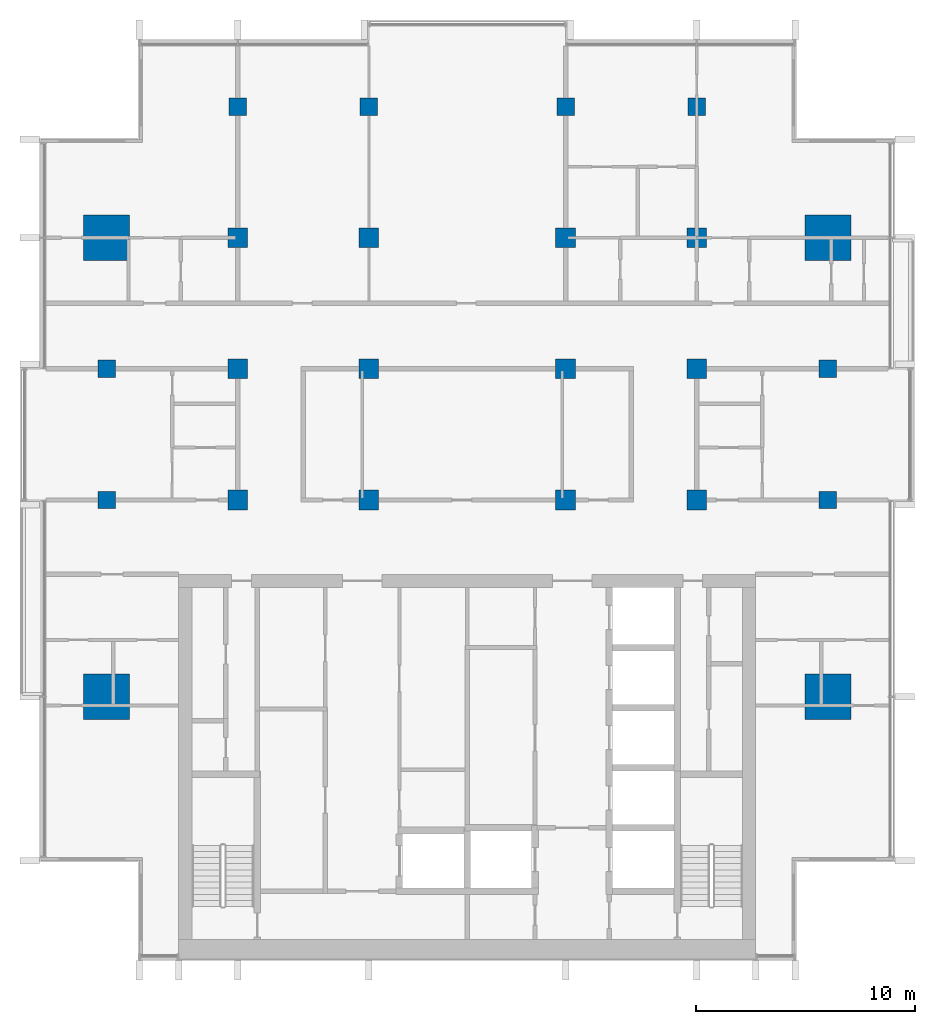
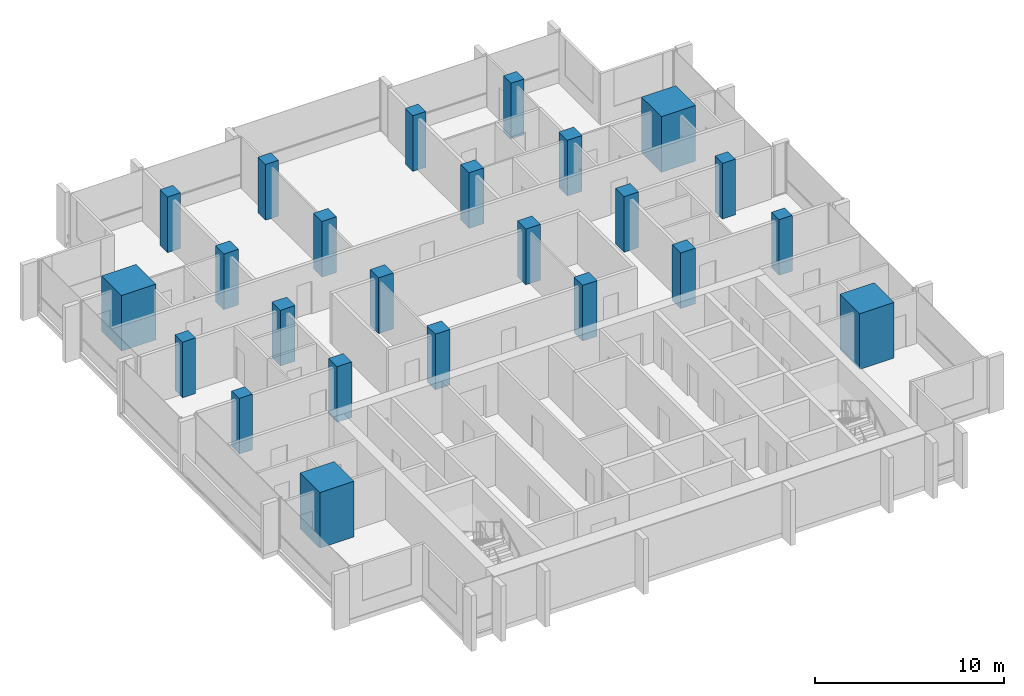
# One storey, part 1 of 16: 24 columns.
"""IFC4 building model written with IfcOpenShell, lengths in metres."""

from ifc_helpers import new_model, si_unit, direction, frame, origin, origin_2d, place, context, subcontext, project, spatial, rectangle, extrude, material, material_profile, profile_set, type_object, element, save


model = new_model("IFC4")

# Units and contexts
model_context = context("Model", 3, precision=1e-05, world=origin(), true_north=direction((0.0, 1.0)))
body_context = subcontext(model_context, "Body", "Model", "MODEL_VIEW")
ifc_project = project(units=[si_unit("LENGTHUNIT", "METRE"), si_unit("AREAUNIT", "SQUARE_METRE"), si_unit("VOLUMEUNIT", "CUBIC_METRE"), si_unit("PLANEANGLEUNIT", "RADIAN"), si_unit("MASSUNIT", "GRAM", prefix="KILO")], contexts=[model_context])

# Site, building, storey
site_placement = place(None, origin())
site = spatial("IfcSite", under=ifc_project, at=site_placement, CompositionType="ELEMENT")
building_placement = place(site_placement, origin())
building = spatial("IfcBuilding", under=site, at=building_placement, Name="Finial Court Residences", CompositionType="ELEMENT")
storey_placement = place(building_placement, frame((0.0, 0.0, 212.300048828125)))
storey = spatial("IfcBuildingStorey", under=building, at=storey_placement, Name="L53", CompositionType="ELEMENT", Elevation=212.300048828125)

# Columns
ifc_material = material(Name="Concrete C50/60", Category="concrete")
ifc_material_profile_1 = material_profile(ifc_material, rectangle(XDim=0.89990234375, YDim=0.89990234375, at=origin_2d()), Name="900x900")
ifc_profile_set_1 = profile_set([ifc_material_profile_1], Name="Concrete C50/60")
column_type_1 = type_object("IfcColumnType", Name="Interior column 900x900 Concrete C50/60", PredefinedType="COLUMN", material=ifc_profile_set_1)
for number, where, z_axis, x_axis, name in (
    (1, (-10.5, -4.5, 0.0), (0.0, 0.0, 1.0), (1.0, 0.0, 0.0), "S:COL:L53:D4"),
    (2, (-10.5, 1.5, 0.0), (0.0, 0.0, 1.0), (1.0, 0.0, 0.0), "S:COL:L53:D5"),
    (3, (-10.5, 7.5, 0.0), (0.0, 0.0, 1.0), (1.0, 0.0, 0.0), "S:COL:L53:D6"),
    (4, (-4.5, -4.5, 0.0), (0.0, 0.0, 1.0), (1.0, 0.0, 0.0), "S:COL:L53:E4"),
    (5, (-4.5, 1.5, 0.0), (0.0, 0.0, 1.0), (1.0, 0.0, 0.0), "S:COL:L53:E5"),
    (6, (-4.5, 7.5, 0.0), (0.0, 0.0, 1.0), (1.0, 0.0, 0.0), "S:COL:L53:E6"),
    (7, (4.5, -4.5, 0.0), (0.0, 0.0, 1.0), (1.0, 0.0, 0.0), "S:COL:L53:F4"),
    (8, (4.5, 1.5, 0.0), (0.0, 0.0, 1.0), (1.0, 0.0, 0.0), "S:COL:L53:F5"),
    (9, (4.5, 7.5, 0.0), (0.0, 0.0, 1.0), (1.0, 0.0, 0.0), "S:COL:L53:F6"),
    (10, (10.5, -4.5, 0.0), (0.0, 0.0, 1.0), (1.0, 0.0, 0.0), "S:COL:L53:G4"),
    (11, (10.5, 1.5, 0.0), (0.0, 0.0, 1.0), (1.0, 0.0, 0.0), "S:COL:L53:G5"),
    (12, (10.5, 7.5, 0.0), (0.0, 0.0, 1.0), (1.0, 0.0, 0.0), "S:COL:L53:G6"),
):
    element("IfcColumn", number, at=place(storey_placement, frame(where, z_axis=z_axis, x_axis=x_axis)), inside=storey, type_object=column_type_1, Name=name, PredefinedType="COLUMN", context=body_context, shape_type="SweptSolid", body=[
        extrude(rectangle(XDim=0.89990234375, YDim=0.89990234375, at=origin_2d()), origin(), (0.0, 0.0, 1.0), 3.599853515625),
    ])
ifc_material_profile_2 = material_profile(ifc_material, rectangle(XDim=2.10009765625, YDim=2.10009765625, at=origin_2d()), Name="2100x2100")
ifc_profile_set_2 = profile_set([ifc_material_profile_2], Name="Concrete C50/60")
column_type_2 = type_object("IfcColumnType", Name="Mega column 2100x2100 Concrete C50/60", PredefinedType="COLUMN", material=ifc_profile_set_2)
for number, where, z_axis, x_axis, name in (
    (13, (-16.5, -13.5, 0.0), (0.0, 0.0, 1.0), (1.0, 0.0, 0.0), "S:COL:L53:C3"),
    (14, (-16.5, 7.5, 0.0), (0.0, 0.0, 1.0), (1.0, 0.0, 0.0), "S:COL:L53:C6"),
    (15, (16.5, -13.5, 0.0), (0.0, 0.0, 1.0), (1.0, 0.0, 0.0), "S:COL:L53:H3"),
    (16, (16.5, 7.5, 0.0), (0.0, 0.0, 1.0), (1.0, 0.0, 0.0), "S:COL:L53:H6"),
):
    element("IfcColumn", number, at=place(storey_placement, frame(where, z_axis=z_axis, x_axis=x_axis)), inside=storey, type_object=column_type_2, Name=name, PredefinedType="COLUMN", context=body_context, shape_type="SweptSolid", body=[
        extrude(rectangle(XDim=2.10009765625, YDim=2.10009765625, at=origin_2d()), origin(), (0.0, 0.0, 1.0), 3.599853515625),
    ])
ifc_material_profile_3 = material_profile(ifc_material, rectangle(XDim=0.800048828125, YDim=0.800048828125, at=origin_2d()), Name="800x800")
ifc_profile_set_3 = profile_set([ifc_material_profile_3], Name="Concrete C50/60")
column_type_3 = type_object("IfcColumnType", Name="Perimeter column 800x800 Concrete C50/60", PredefinedType="COLUMN", material=ifc_profile_set_3)
for number, where, z_axis, x_axis, name in (
    (17, (-16.5, -4.5, 0.0), (0.0, 0.0, 1.0), (1.0, 0.0, 0.0), "S:COL:L53:C4"),
    (18, (-16.5, 1.5, 0.0), (0.0, 0.0, 1.0), (1.0, 0.0, 0.0), "S:COL:L53:C5"),
    (19, (-10.5, 13.5, 0.0), (0.0, 0.0, 1.0), (1.0, 0.0, 0.0), "S:COL:L53:D7"),
    (20, (-4.5, 13.5, 0.0), (0.0, 0.0, 1.0), (1.0, 0.0, 0.0), "S:COL:L53:E7"),
    (21, (4.5, 13.5, 0.0), (0.0, 0.0, 1.0), (1.0, 0.0, 0.0), "S:COL:L53:F7"),
    (22, (10.5, 13.5, 0.0), (0.0, 0.0, 1.0), (1.0, 0.0, 0.0), "S:COL:L53:G7"),
    (23, (16.5, -4.5, 0.0), (0.0, 0.0, 1.0), (1.0, 0.0, 0.0), "S:COL:L53:H4"),
    (24, (16.5, 1.5, 0.0), (0.0, 0.0, 1.0), (1.0, 0.0, 0.0), "S:COL:L53:H5"),
):
    element("IfcColumn", number, at=place(storey_placement, frame(where, z_axis=z_axis, x_axis=x_axis)), inside=storey, type_object=column_type_3, Name=name, PredefinedType="COLUMN", context=body_context, shape_type="SweptSolid", body=[
        extrude(rectangle(XDim=0.800048828125, YDim=0.800048828125, at=origin_2d()), origin(), (0.0, 0.0, 1.0), 3.599853515625),
    ])

save(model, "model.ifc")
